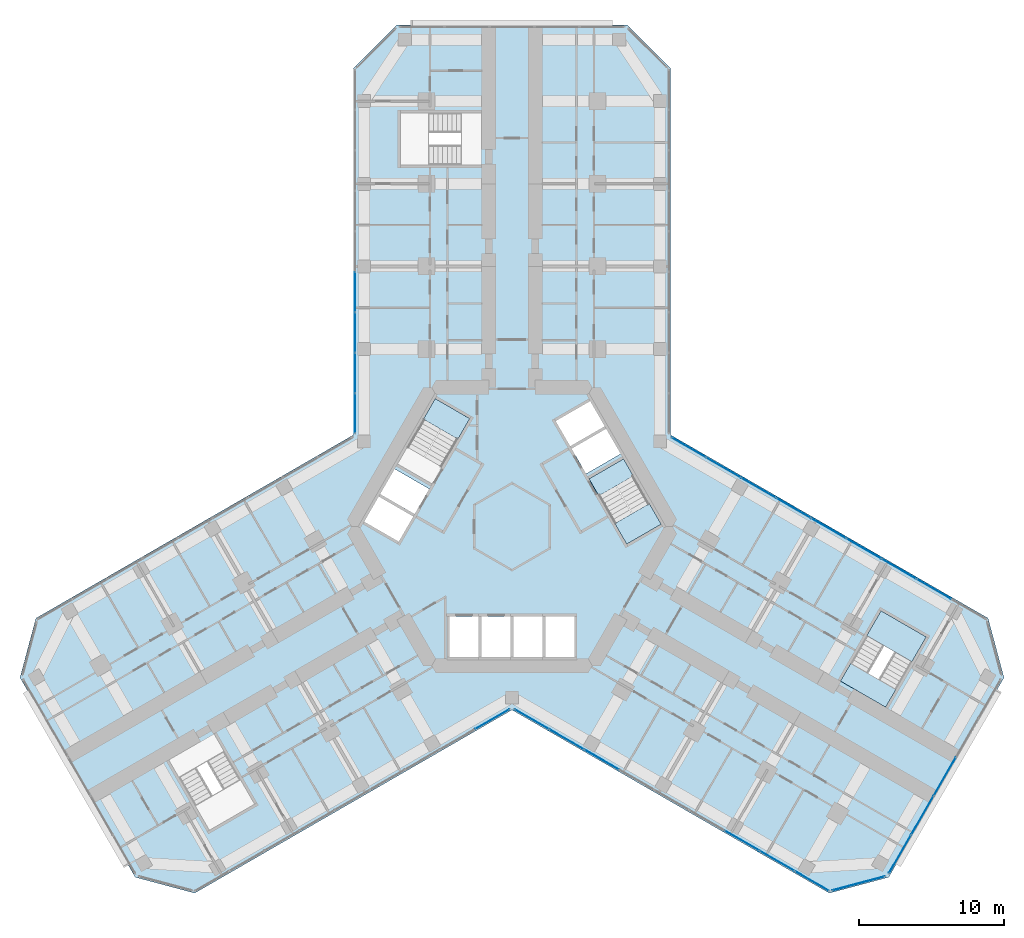
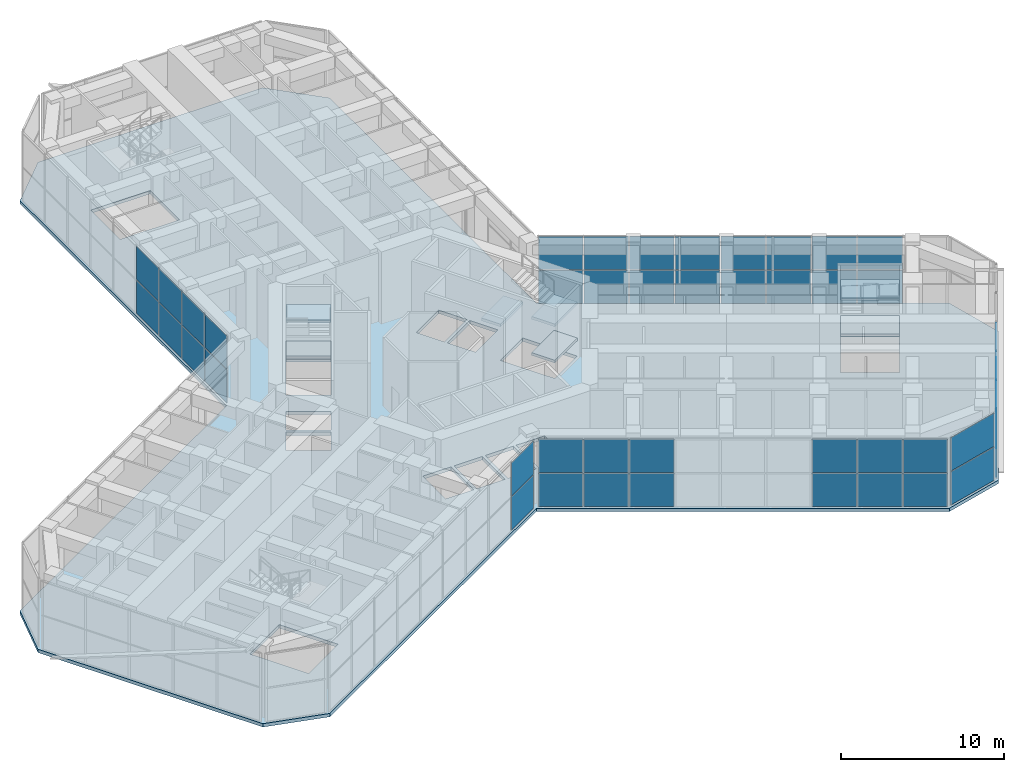
# One storey, part 12 of 23: 46 plates, 9 slabs, 9 elements without a shape of their own.
"""IFC4 building model written with IfcOpenShell, lengths in metres."""

from ifc_helpers import new_model, si_unit, direction, frame, origin, origin_2d, place, context, subcontext, project, spatial, polyline, rectangle, outline, extrude, material, layer, layer_set, type_object, element, aggregate, save


model = new_model("IFC4")

# Units and contexts
model_context = context("Model", 3, precision=1e-05, world=origin(), true_north=direction((0.0, 1.0)))
body_context = subcontext(model_context, "Body", "Model", "MODEL_VIEW")
ifc_project = project(units=[si_unit("LENGTHUNIT", "METRE"), si_unit("AREAUNIT", "SQUARE_METRE"), si_unit("VOLUMEUNIT", "CUBIC_METRE"), si_unit("PLANEANGLEUNIT", "RADIAN"), si_unit("MASSUNIT", "GRAM", prefix="KILO")], contexts=[model_context])

# Site, building, storey
site_placement = place(None, origin())
site = spatial("IfcSite", under=ifc_project, at=site_placement, CompositionType="ELEMENT")
building_placement = place(site_placement, origin())
building = spatial("IfcBuilding", under=site, at=building_placement, Name="Kosmar Iwan School Tower", CompositionType="ELEMENT")
storey_placement = place(building_placement, frame((0.0, 0.0, 75.39990234375)))
storey = spatial("IfcBuildingStorey", under=building, at=storey_placement, Name="L18", CompositionType="ELEMENT", Elevation=75.39990234375)

# Curtain wall, plates
ifc_material_1 = material(Name="Dark glass in black aluminium frame", Category="aluminium")
curtain_wall_type_1 = type_object("IfcCurtainWallType", Name="Winter garden curtain wall", PredefinedType="USERDEFINED", material=ifc_material_1)
curtain_wall_1_placement = place(storey_placement, origin())
curtain_wall_1 = element("IfcCurtainWall", 1, at=curtain_wall_1_placement, inside=storey, type_object=curtain_wall_type_1, Name="Curtain wall L18-F00", ObjectType="WINTER GARDEN CURTAIN WALL", PredefinedType="USERDEFINED")
ifc_material_2 = material(Name="Dark glass", Category="glass")
ifc_layer_1 = layer(ifc_material_2, 0.028076171875)
ifc_layer_set_1 = layer_set([ifc_layer_1], Name="Dark glass panel 28")
plate_type = type_object("IfcPlateType", Name="Dark glass panel 28", PredefinedType="CURTAIN_PANEL", material=ifc_layer_set_1)
plate_1_placement = place(storey_placement, frame((-1.3603515625, -13.284912109375, 0.06005859375), z_axis=(0.0, 0.0, 1.0), x_axis=(-0.866025395189, -0.500000014888, 0.0)))
plate_1 = element("IfcPlate", 2, at=plate_1_placement, type_object=plate_type, Name="CW7 panel 1.1", PredefinedType="CURTAIN_PANEL", context=body_context, shape_type="SweptSolid", body=[
    extrude(rectangle(XDim=2.703369140625, YDim=0.028076171875, at=origin_2d()), origin(), (0.0, 0.0, 1.0), 2.485107421875),
])
plate_2_placement = place(storey_placement, frame((-1.3603515625, -13.284912109375, 2.60498046875), z_axis=(0.0, 0.0, 1.0), x_axis=(-0.866025395189, -0.500000014888, 0.0)))
plate_2 = element("IfcPlate", 3, at=plate_2_placement, type_object=plate_type, Name="CW7 panel 1.2", PredefinedType="CURTAIN_PANEL", context=body_context, shape_type="SweptSolid", body=[
    extrude(rectangle(XDim=2.703369140625, YDim=0.028076171875, at=origin_2d()), origin(), (0.0, 0.0, 1.0), 2.485107421875),
])
aggregate(curtain_wall_1, [plate_1, plate_2])

curtain_wall_2_placement = place(storey_placement, origin())
curtain_wall_2 = element("IfcCurtainWall", 4, at=curtain_wall_2_placement, inside=storey, type_object=curtain_wall_type_1, Name="Curtain wall L18-F01", ObjectType="WINTER GARDEN CURTAIN WALL", PredefinedType="USERDEFINED")
plate_3_placement = place(storey_placement, frame((1.3603515625, -13.284912109375, 0.06005859375), z_axis=(0.0, 0.0, 1.0), x_axis=(0.866025395189, -0.500000014888, 0.0)))
plate_3 = element("IfcPlate", 5, at=plate_3_placement, type_object=plate_type, Name="CW7 panel 1.1", PredefinedType="CURTAIN_PANEL", context=body_context, shape_type="SweptSolid", body=[
    extrude(rectangle(XDim=2.703369140625, YDim=0.028076171875, at=origin_2d()), origin(), (0.0, 0.0, 1.0), 2.485107421875),
])
plate_4_placement = place(storey_placement, frame((1.3603515625, -13.284912109375, 2.60498046875), z_axis=(0.0, 0.0, 1.0), x_axis=(0.866025395189, -0.500000014888, 0.0)))
plate_4 = element("IfcPlate", 6, at=plate_4_placement, type_object=plate_type, Name="CW7 panel 1.2", PredefinedType="CURTAIN_PANEL", context=body_context, shape_type="SweptSolid", body=[
    extrude(rectangle(XDim=2.703369140625, YDim=0.028076171875, at=origin_2d()), origin(), (0.0, 0.0, 1.0), 2.485107421875),
])
plate_5_placement = place(storey_placement, frame((3.766357421875, -14.674072265625, 0.06005859375), z_axis=(0.0, 0.0, 1.0), x_axis=(0.866025395189, -0.500000014888, 0.0)))
plate_5 = element("IfcPlate", 7, at=plate_5_placement, type_object=plate_type, Name="CW7 panel 2.1", PredefinedType="CURTAIN_PANEL", context=body_context, shape_type="SweptSolid", body=[
    extrude(rectangle(XDim=2.733154296875, YDim=0.028076171875, at=origin_2d()), origin(), (0.0, 0.0, 1.0), 2.485107421875),
])
plate_6_placement = place(storey_placement, frame((3.766357421875, -14.674072265625, 2.60498046875), z_axis=(0.0, 0.0, 1.0), x_axis=(0.866025395189, -0.500000014888, 0.0)))
plate_6 = element("IfcPlate", 8, at=plate_6_placement, type_object=plate_type, Name="CW7 panel 2.2", PredefinedType="CURTAIN_PANEL", context=body_context, shape_type="SweptSolid", body=[
    extrude(rectangle(XDim=2.733154296875, YDim=0.028076171875, at=origin_2d()), origin(), (0.0, 0.0, 1.0), 2.485107421875),
])
plate_7_placement = place(storey_placement, frame((6.185302734375, -16.07080078125, 0.06005859375), z_axis=(0.0, 0.0, 1.0), x_axis=(0.866025395189, -0.500000014888, 0.0)))
plate_7 = element("IfcPlate", 9, at=plate_7_placement, type_object=plate_type, Name="CW7 panel 3.1", PredefinedType="CURTAIN_PANEL", context=body_context, shape_type="SweptSolid", body=[
    extrude(rectangle(XDim=2.733154296875, YDim=0.028076171875, at=origin_2d()), origin(), (0.0, 0.0, 1.0), 2.485107421875),
])
plate_8_placement = place(storey_placement, frame((6.185302734375, -16.07080078125, 2.60498046875), z_axis=(0.0, 0.0, 1.0), x_axis=(0.866025395189, -0.500000014888, 0.0)))
plate_8 = element("IfcPlate", 10, at=plate_8_placement, type_object=plate_type, Name="CW7 panel 3.2", PredefinedType="CURTAIN_PANEL", context=body_context, shape_type="SweptSolid", body=[
    extrude(rectangle(XDim=2.733154296875, YDim=0.028076171875, at=origin_2d()), origin(), (0.0, 0.0, 1.0), 2.485107421875),
])
plate_9_placement = place(storey_placement, frame((15.861572265625, -21.6572265625, 0.06005859375), z_axis=(0.0, 0.0, 1.0), x_axis=(0.866025395189, -0.500000014888, 0.0)))
plate_9 = element("IfcPlate", 11, at=plate_9_placement, type_object=plate_type, Name="CW7 panel 7.1", PredefinedType="CURTAIN_PANEL", context=body_context, shape_type="SweptSolid", body=[
    extrude(rectangle(XDim=2.733154296875, YDim=0.028076171875, at=origin_2d()), origin(), (0.0, 0.0, 1.0), 2.485107421875),
])
plate_10_placement = place(storey_placement, frame((15.861572265625, -21.6572265625, 2.60498046875), z_axis=(0.0, 0.0, 1.0), x_axis=(0.866025395189, -0.500000014888, 0.0)))
plate_10 = element("IfcPlate", 12, at=plate_10_placement, type_object=plate_type, Name="CW7 panel 7.2", PredefinedType="CURTAIN_PANEL", context=body_context, shape_type="SweptSolid", body=[
    extrude(rectangle(XDim=2.733154296875, YDim=0.028076171875, at=origin_2d()), origin(), (0.0, 0.0, 1.0), 2.485107421875),
])
plate_11_placement = place(storey_placement, frame((18.280517578125, -23.053955078125, 0.06005859375), z_axis=(0.0, 0.0, 1.0), x_axis=(0.866025395189, -0.500000014888, 0.0)))
plate_11 = element("IfcPlate", 13, at=plate_11_placement, type_object=plate_type, Name="CW7 panel 8.1", PredefinedType="CURTAIN_PANEL", context=body_context, shape_type="SweptSolid", body=[
    extrude(rectangle(XDim=2.733154296875, YDim=0.028076171875, at=origin_2d()), origin(), (0.0, 0.0, 1.0), 2.485107421875),
])
plate_12_placement = place(storey_placement, frame((18.280517578125, -23.053955078125, 2.60498046875), z_axis=(0.0, 0.0, 1.0), x_axis=(0.866025395189, -0.500000014888, 0.0)))
plate_12 = element("IfcPlate", 14, at=plate_12_placement, type_object=plate_type, Name="CW7 panel 8.2", PredefinedType="CURTAIN_PANEL", context=body_context, shape_type="SweptSolid", body=[
    extrude(rectangle(XDim=2.733154296875, YDim=0.028076171875, at=origin_2d()), origin(), (0.0, 0.0, 1.0), 2.485107421875),
])
plate_13_placement = place(storey_placement, frame((20.6865234375, -24.443115234375, 0.06005859375), z_axis=(0.0, 0.0, 1.0), x_axis=(0.866025395189, -0.500000014888, 0.0)))
plate_13 = element("IfcPlate", 15, at=plate_13_placement, type_object=plate_type, Name="CW7 panel 9.1", PredefinedType="CURTAIN_PANEL", context=body_context, shape_type="SweptSolid", body=[
    extrude(rectangle(XDim=2.703369140625, YDim=0.028076171875, at=origin_2d()), origin(), (0.0, 0.0, 1.0), 2.485107421875),
])
plate_14_placement = place(storey_placement, frame((20.6865234375, -24.443115234375, 2.60498046875), z_axis=(0.0, 0.0, 1.0), x_axis=(0.866025395189, -0.500000014888, 0.0)))
plate_14 = element("IfcPlate", 16, at=plate_14_placement, type_object=plate_type, Name="CW7 panel 9.2", PredefinedType="CURTAIN_PANEL", context=body_context, shape_type="SweptSolid", body=[
    extrude(rectangle(XDim=2.703369140625, YDim=0.028076171875, at=origin_2d()), origin(), (0.0, 0.0, 1.0), 2.485107421875),
])
aggregate(curtain_wall_2, [plate_3, plate_4, plate_5, plate_6, plate_7, plate_8, plate_9, plate_10, plate_11, plate_12, plate_13, plate_14])

ifc_material_3 = material(Name="Dark glass in black aluminium frame", Category="aluminium")
curtain_wall_type_2 = type_object("IfcCurtainWallType", Name="Chamfer curtain wall dark glass", PredefinedType="USERDEFINED", material=ifc_material_3)
curtain_wall_3_placement = place(storey_placement, origin())
curtain_wall_3 = element("IfcCurtainWall", 17, at=curtain_wall_3_placement, inside=storey, type_object=curtain_wall_type_2, Name="Curtain wall L18-F02", ObjectType="FACETED CURTAIN WALL", PredefinedType="USERDEFINED")
plate_15_placement = place(storey_placement, frame((23.908203125, -24.61328125, 0.06005859375), z_axis=(0.0, 0.0, 1.0), x_axis=(0.965925875495, 0.258818861462, 0.0)))
plate_15 = element("IfcPlate", 18, at=plate_15_placement, type_object=plate_type, Name="CW2 panel 1.1", PredefinedType="CURTAIN_PANEL", context=body_context, shape_type="SweptSolid", body=[
    extrude(rectangle(XDim=3.718994140625, YDim=0.028076171875, at=origin_2d()), origin(), (0.0, 0.0, 1.0), 2.485107421875),
])
plate_16_placement = place(storey_placement, frame((23.908203125, -24.61328125, 2.60498046875), z_axis=(0.0, 0.0, 1.0), x_axis=(0.965925875495, 0.258818861462, 0.0)))
plate_16 = element("IfcPlate", 19, at=plate_16_placement, type_object=plate_type, Name="CW2 panel 1.2", PredefinedType="CURTAIN_PANEL", context=body_context, shape_type="SweptSolid", body=[
    extrude(rectangle(XDim=3.718994140625, YDim=0.028076171875, at=origin_2d()), origin(), (0.0, 0.0, 1.0), 2.485107421875),
])
aggregate(curtain_wall_3, [plate_15, plate_16])

ifc_material_4 = material(Name="Dark glass in black aluminium frame", Category="aluminium")
curtain_wall_type_3 = type_object("IfcCurtainWallType", Name="Tower curtain wall dark glass", PredefinedType="USERDEFINED", material=ifc_material_4)
curtain_wall_4_placement = place(storey_placement, origin())
curtain_wall_4 = element("IfcCurtainWall", 20, at=curtain_wall_4_placement, inside=storey, type_object=curtain_wall_type_3, Name="Curtain wall L18-F03", ObjectType="UNITISED CURTAIN WALL", PredefinedType="USERDEFINED")
plate_17_placement = place(storey_placement, frame((26.764404296875, -22.592529296875, 0.06005859375), z_axis=(0.0, 0.0, 1.0), x_axis=(0.499999997325, 0.866025405329, 0.0)))
plate_17 = element("IfcPlate", 21, at=plate_17_placement, type_object=plate_type, Name="CW1 panel 1.1", PredefinedType="CURTAIN_PANEL", context=body_context, shape_type="SweptSolid", body=[
    extrude(rectangle(XDim=3.00927734375, YDim=0.028076171875, at=origin_2d()), origin(), (0.0, 0.0, 1.0), 2.485107421875),
])
plate_18_placement = place(storey_placement, frame((26.764404296875, -22.592529296875, 2.60498046875), z_axis=(0.0, 0.0, 1.0), x_axis=(0.499999997325, 0.866025405329, 0.0)))
plate_18 = element("IfcPlate", 22, at=plate_18_placement, type_object=plate_type, Name="CW1 panel 1.2", PredefinedType="CURTAIN_PANEL", context=body_context, shape_type="SweptSolid", body=[
    extrude(rectangle(XDim=3.00927734375, YDim=0.028076171875, at=origin_2d()), origin(), (0.0, 0.0, 1.0), 2.485107421875),
])
plate_19_placement = place(storey_placement, frame((28.306640625, -19.921630859375, 0.06005859375), z_axis=(0.0, 0.0, 1.0), x_axis=(0.499999997325, 0.866025405329, 0.0)))
plate_19 = element("IfcPlate", 23, at=plate_19_placement, type_object=plate_type, Name="CW1 panel 2.1", PredefinedType="CURTAIN_PANEL", context=body_context, shape_type="SweptSolid", body=[
    extrude(rectangle(XDim=3.039306640625, YDim=0.028076171875, at=origin_2d()), origin(), (0.0, 0.0, 1.0), 2.485107421875),
])
plate_20_placement = place(storey_placement, frame((28.306640625, -19.921630859375, 2.60498046875), z_axis=(0.0, 0.0, 1.0), x_axis=(0.499999997325, 0.866025405329, 0.0)))
plate_20 = element("IfcPlate", 24, at=plate_20_placement, type_object=plate_type, Name="CW1 panel 2.2", PredefinedType="CURTAIN_PANEL", context=body_context, shape_type="SweptSolid", body=[
    extrude(rectangle(XDim=3.039306640625, YDim=0.028076171875, at=origin_2d()), origin(), (0.0, 0.0, 1.0), 2.485107421875),
])
plate_21_placement = place(storey_placement, frame((29.856201171875, -17.237548828125, 0.06005859375), z_axis=(0.0, 0.0, 1.0), x_axis=(0.499999997325, 0.866025405329, 0.0)))
plate_21 = element("IfcPlate", 25, at=plate_21_placement, type_object=plate_type, Name="CW1 panel 3.1", PredefinedType="CURTAIN_PANEL", context=body_context, shape_type="SweptSolid", body=[
    extrude(rectangle(XDim=3.039306640625, YDim=0.028076171875, at=origin_2d()), origin(), (0.0, 0.0, 1.0), 2.485107421875),
])
plate_22_placement = place(storey_placement, frame((29.856201171875, -17.237548828125, 2.60498046875), z_axis=(0.0, 0.0, 1.0), x_axis=(0.499999997325, 0.866025405329, 0.0)))
plate_22 = element("IfcPlate", 26, at=plate_22_placement, type_object=plate_type, Name="CW1 panel 3.2", PredefinedType="CURTAIN_PANEL", context=body_context, shape_type="SweptSolid", body=[
    extrude(rectangle(XDim=3.039306640625, YDim=0.028076171875, at=origin_2d()), origin(), (0.0, 0.0, 1.0), 2.485107421875),
])
aggregate(curtain_wall_4, [plate_17, plate_18, plate_19, plate_20, plate_21, plate_22])

curtain_wall_5_placement = place(storey_placement, origin())
curtain_wall_5 = element("IfcCurtainWall", 27, at=curtain_wall_5_placement, inside=storey, type_object=curtain_wall_type_1, Name="Curtain wall L18-F05", ObjectType="WINTER GARDEN CURTAIN WALL", PredefinedType="USERDEFINED")
plate_23_placement = place(storey_placement, frame((12.185302734375, 5.46435546875, 0.06005859375), z_axis=(0.0, 0.0, 1.0), x_axis=(0.866025395189, -0.500000014888, 0.0)))
plate_23 = element("IfcPlate", 28, at=plate_23_placement, type_object=plate_type, Name="CW7 panel 1.1", PredefinedType="CURTAIN_PANEL", context=body_context, shape_type="SweptSolid", body=[
    extrude(rectangle(XDim=2.703369140625, YDim=0.028076171875, at=origin_2d()), origin(), (0.0, 0.0, 1.0), 2.485107421875),
])
plate_24_placement = place(storey_placement, frame((12.185302734375, 5.46435546875, 2.60498046875), z_axis=(0.0, 0.0, 1.0), x_axis=(0.866025395189, -0.500000014888, 0.0)))
plate_24 = element("IfcPlate", 29, at=plate_24_placement, type_object=plate_type, Name="CW7 panel 1.2", PredefinedType="CURTAIN_PANEL", context=body_context, shape_type="SweptSolid", body=[
    extrude(rectangle(XDim=2.703369140625, YDim=0.028076171875, at=origin_2d()), origin(), (0.0, 0.0, 1.0), 2.485107421875),
])
plate_25_placement = place(storey_placement, frame((14.59130859375, 4.0751953125, 0.06005859375), z_axis=(0.0, 0.0, 1.0), x_axis=(0.866025395189, -0.500000014888, 0.0)))
plate_25 = element("IfcPlate", 30, at=plate_25_placement, type_object=plate_type, Name="CW7 panel 2.1", PredefinedType="CURTAIN_PANEL", context=body_context, shape_type="SweptSolid", body=[
    extrude(rectangle(XDim=2.733154296875, YDim=0.028076171875, at=origin_2d()), origin(), (0.0, 0.0, 1.0), 2.485107421875),
])
plate_26_placement = place(storey_placement, frame((14.59130859375, 4.0751953125, 2.60498046875), z_axis=(0.0, 0.0, 1.0), x_axis=(0.866025395189, -0.500000014888, 0.0)))
plate_26 = element("IfcPlate", 31, at=plate_26_placement, type_object=plate_type, Name="CW7 panel 2.2", PredefinedType="CURTAIN_PANEL", context=body_context, shape_type="SweptSolid", body=[
    extrude(rectangle(XDim=2.733154296875, YDim=0.028076171875, at=origin_2d()), origin(), (0.0, 0.0, 1.0), 2.485107421875),
])
plate_27_placement = place(storey_placement, frame((17.010498046875, 2.6787109375, 0.06005859375), z_axis=(0.0, 0.0, 1.0), x_axis=(0.866025395189, -0.500000014888, 0.0)))
plate_27 = element("IfcPlate", 32, at=plate_27_placement, type_object=plate_type, Name="CW7 panel 3.1", PredefinedType="CURTAIN_PANEL", context=body_context, shape_type="SweptSolid", body=[
    extrude(rectangle(XDim=2.733154296875, YDim=0.028076171875, at=origin_2d()), origin(), (0.0, 0.0, 1.0), 2.485107421875),
])
plate_28_placement = place(storey_placement, frame((17.010498046875, 2.6787109375, 2.60498046875), z_axis=(0.0, 0.0, 1.0), x_axis=(0.866025395189, -0.500000014888, 0.0)))
plate_28 = element("IfcPlate", 33, at=plate_28_placement, type_object=plate_type, Name="CW7 panel 3.2", PredefinedType="CURTAIN_PANEL", context=body_context, shape_type="SweptSolid", body=[
    extrude(rectangle(XDim=2.733154296875, YDim=0.028076171875, at=origin_2d()), origin(), (0.0, 0.0, 1.0), 2.485107421875),
])
plate_29_placement = place(storey_placement, frame((19.429443359375, 1.281982421875, 0.06005859375), z_axis=(0.0, 0.0, 1.0), x_axis=(0.866025395189, -0.500000014888, 0.0)))
plate_29 = element("IfcPlate", 34, at=plate_29_placement, type_object=plate_type, Name="CW7 panel 4.1", PredefinedType="CURTAIN_PANEL", context=body_context, shape_type="SweptSolid", body=[
    extrude(rectangle(XDim=2.733154296875, YDim=0.028076171875, at=origin_2d()), origin(), (0.0, 0.0, 1.0), 2.485107421875),
])
plate_30_placement = place(storey_placement, frame((19.429443359375, 1.281982421875, 2.60498046875), z_axis=(0.0, 0.0, 1.0), x_axis=(0.866025395189, -0.500000014888, 0.0)))
plate_30 = element("IfcPlate", 35, at=plate_30_placement, type_object=plate_type, Name="CW7 panel 4.2", PredefinedType="CURTAIN_PANEL", context=body_context, shape_type="SweptSolid", body=[
    extrude(rectangle(XDim=2.733154296875, YDim=0.028076171875, at=origin_2d()), origin(), (0.0, 0.0, 1.0), 2.485107421875),
])
plate_31_placement = place(storey_placement, frame((21.848388671875, -0.114501953125, 0.06005859375), z_axis=(0.0, 0.0, 1.0), x_axis=(0.866025395189, -0.500000014888, 0.0)))
plate_31 = element("IfcPlate", 36, at=plate_31_placement, type_object=plate_type, Name="CW7 panel 5.1", PredefinedType="CURTAIN_PANEL", context=body_context, shape_type="SweptSolid", body=[
    extrude(rectangle(XDim=2.733154296875, YDim=0.028076171875, at=origin_2d()), origin(), (0.0, 0.0, 1.0), 2.485107421875),
])
plate_32_placement = place(storey_placement, frame((21.848388671875, -0.114501953125, 2.60498046875), z_axis=(0.0, 0.0, 1.0), x_axis=(0.866025395189, -0.500000014888, 0.0)))
plate_32 = element("IfcPlate", 37, at=plate_32_placement, type_object=plate_type, Name="CW7 panel 5.2", PredefinedType="CURTAIN_PANEL", context=body_context, shape_type="SweptSolid", body=[
    extrude(rectangle(XDim=2.733154296875, YDim=0.028076171875, at=origin_2d()), origin(), (0.0, 0.0, 1.0), 2.485107421875),
])
plate_33_placement = place(storey_placement, frame((24.267578125, -1.51123046875, 0.06005859375), z_axis=(0.0, 0.0, 1.0), x_axis=(0.866025395189, -0.500000014888, 0.0)))
plate_33 = element("IfcPlate", 38, at=plate_33_placement, type_object=plate_type, Name="CW7 panel 6.1", PredefinedType="CURTAIN_PANEL", context=body_context, shape_type="SweptSolid", body=[
    extrude(rectangle(XDim=2.733154296875, YDim=0.028076171875, at=origin_2d()), origin(), (0.0, 0.0, 1.0), 2.485107421875),
])
plate_34_placement = place(storey_placement, frame((24.267578125, -1.51123046875, 2.60498046875), z_axis=(0.0, 0.0, 1.0), x_axis=(0.866025395189, -0.500000014888, 0.0)))
plate_34 = element("IfcPlate", 39, at=plate_34_placement, type_object=plate_type, Name="CW7 panel 6.2", PredefinedType="CURTAIN_PANEL", context=body_context, shape_type="SweptSolid", body=[
    extrude(rectangle(XDim=2.733154296875, YDim=0.028076171875, at=origin_2d()), origin(), (0.0, 0.0, 1.0), 2.485107421875),
])
plate_35_placement = place(storey_placement, frame((26.6865234375, -2.90771484375, 0.06005859375), z_axis=(0.0, 0.0, 1.0), x_axis=(0.866025395189, -0.500000014888, 0.0)))
plate_35 = element("IfcPlate", 40, at=plate_35_placement, type_object=plate_type, Name="CW7 panel 7.1", PredefinedType="CURTAIN_PANEL", context=body_context, shape_type="SweptSolid", body=[
    extrude(rectangle(XDim=2.733154296875, YDim=0.028076171875, at=origin_2d()), origin(), (0.0, 0.0, 1.0), 2.485107421875),
])
plate_36_placement = place(storey_placement, frame((26.6865234375, -2.90771484375, 2.60498046875), z_axis=(0.0, 0.0, 1.0), x_axis=(0.866025395189, -0.500000014888, 0.0)))
plate_36 = element("IfcPlate", 41, at=plate_36_placement, type_object=plate_type, Name="CW7 panel 7.2", PredefinedType="CURTAIN_PANEL", context=body_context, shape_type="SweptSolid", body=[
    extrude(rectangle(XDim=2.733154296875, YDim=0.028076171875, at=origin_2d()), origin(), (0.0, 0.0, 1.0), 2.485107421875),
])
plate_37_placement = place(storey_placement, frame((29.10546875, -4.304443359375, 0.06005859375), z_axis=(0.0, 0.0, 1.0), x_axis=(0.866025395189, -0.500000014888, 0.0)))
plate_37 = element("IfcPlate", 42, at=plate_37_placement, type_object=plate_type, Name="CW7 panel 8.1", PredefinedType="CURTAIN_PANEL", context=body_context, shape_type="SweptSolid", body=[
    extrude(rectangle(XDim=2.733154296875, YDim=0.028076171875, at=origin_2d()), origin(), (0.0, 0.0, 1.0), 2.485107421875),
])
plate_38_placement = place(storey_placement, frame((29.10546875, -4.304443359375, 2.60498046875), z_axis=(0.0, 0.0, 1.0), x_axis=(0.866025395189, -0.500000014888, 0.0)))
plate_38 = element("IfcPlate", 43, at=plate_38_placement, type_object=plate_type, Name="CW7 panel 8.2", PredefinedType="CURTAIN_PANEL", context=body_context, shape_type="SweptSolid", body=[
    extrude(rectangle(XDim=2.733154296875, YDim=0.028076171875, at=origin_2d()), origin(), (0.0, 0.0, 1.0), 2.485107421875),
])
aggregate(curtain_wall_5, [plate_23, plate_24, plate_25, plate_26, plate_27, plate_28, plate_29, plate_30, plate_31, plate_32, plate_33, plate_34, plate_35, plate_36, plate_37, plate_38])

curtain_wall_6_placement = place(storey_placement, origin())
curtain_wall_6 = element("IfcCurtainWall", 44, at=curtain_wall_6_placement, inside=storey, type_object=curtain_wall_type_1, Name="Curtain wall L18-F10", ObjectType="WINTER GARDEN CURTAIN WALL", PredefinedType="USERDEFINED")
plate_39_placement = place(storey_placement, frame((-10.824951171875, 7.820556640625, 0.06005859375), z_axis=(0.0, 0.0, 1.0), x_axis=(0.0, 1.0, 0.0)))
plate_39 = element("IfcPlate", 45, at=plate_39_placement, type_object=plate_type, Name="CW7 panel 1.1", PredefinedType="CURTAIN_PANEL", context=body_context, shape_type="SweptSolid", body=[
    extrude(rectangle(XDim=2.703369140625, YDim=0.028076171875, at=origin_2d()), origin(), (0.0, 0.0, 1.0), 2.485107421875),
])
plate_40_placement = place(storey_placement, frame((-10.824951171875, 7.820556640625, 2.60498046875), z_axis=(0.0, 0.0, 1.0), x_axis=(0.0, 1.0, 0.0)))
plate_40 = element("IfcPlate", 46, at=plate_40_placement, type_object=plate_type, Name="CW7 panel 1.2", PredefinedType="CURTAIN_PANEL", context=body_context, shape_type="SweptSolid", body=[
    extrude(rectangle(XDim=2.703369140625, YDim=0.028076171875, at=origin_2d()), origin(), (0.0, 0.0, 1.0), 2.485107421875),
])
plate_41_placement = place(storey_placement, frame((-10.824951171875, 10.598876953125, 0.06005859375), z_axis=(0.0, 0.0, 1.0), x_axis=(0.0, 1.0, 0.0)))
plate_41 = element("IfcPlate", 47, at=plate_41_placement, type_object=plate_type, Name="CW7 panel 2.1", PredefinedType="CURTAIN_PANEL", context=body_context, shape_type="SweptSolid", body=[
    extrude(rectangle(XDim=2.733154296875, YDim=0.028076171875, at=origin_2d()), origin(), (0.0, 0.0, 1.0), 2.485107421875),
])
plate_42_placement = place(storey_placement, frame((-10.824951171875, 10.598876953125, 2.60498046875), z_axis=(0.0, 0.0, 1.0), x_axis=(0.0, 1.0, 0.0)))
plate_42 = element("IfcPlate", 48, at=plate_42_placement, type_object=plate_type, Name="CW7 panel 2.2", PredefinedType="CURTAIN_PANEL", context=body_context, shape_type="SweptSolid", body=[
    extrude(rectangle(XDim=2.733154296875, YDim=0.028076171875, at=origin_2d()), origin(), (0.0, 0.0, 1.0), 2.485107421875),
])
plate_43_placement = place(storey_placement, frame((-10.824951171875, 13.39208984375, 0.06005859375), z_axis=(0.0, 0.0, 1.0), x_axis=(0.0, 1.0, 0.0)))
plate_43 = element("IfcPlate", 49, at=plate_43_placement, type_object=plate_type, Name="CW7 panel 3.1", PredefinedType="CURTAIN_PANEL", context=body_context, shape_type="SweptSolid", body=[
    extrude(rectangle(XDim=2.733154296875, YDim=0.028076171875, at=origin_2d()), origin(), (0.0, 0.0, 1.0), 2.485107421875),
])
plate_44_placement = place(storey_placement, frame((-10.824951171875, 13.39208984375, 2.60498046875), z_axis=(0.0, 0.0, 1.0), x_axis=(0.0, 1.0, 0.0)))
plate_44 = element("IfcPlate", 50, at=plate_44_placement, type_object=plate_type, Name="CW7 panel 3.2", PredefinedType="CURTAIN_PANEL", context=body_context, shape_type="SweptSolid", body=[
    extrude(rectangle(XDim=2.733154296875, YDim=0.028076171875, at=origin_2d()), origin(), (0.0, 0.0, 1.0), 2.485107421875),
])
plate_45_placement = place(storey_placement, frame((-10.824951171875, 16.185302734375, 0.06005859375), z_axis=(0.0, 0.0, 1.0), x_axis=(0.0, 1.0, 0.0)))
plate_45 = element("IfcPlate", 51, at=plate_45_placement, type_object=plate_type, Name="CW7 panel 4.1", PredefinedType="CURTAIN_PANEL", context=body_context, shape_type="SweptSolid", body=[
    extrude(rectangle(XDim=2.733154296875, YDim=0.028076171875, at=origin_2d()), origin(), (0.0, 0.0, 1.0), 2.485107421875),
])
plate_46_placement = place(storey_placement, frame((-10.824951171875, 16.185302734375, 2.60498046875), z_axis=(0.0, 0.0, 1.0), x_axis=(0.0, 1.0, 0.0)))
plate_46 = element("IfcPlate", 52, at=plate_46_placement, type_object=plate_type, Name="CW7 panel 4.2", PredefinedType="CURTAIN_PANEL", context=body_context, shape_type="SweptSolid", body=[
    extrude(rectangle(XDim=2.733154296875, YDim=0.028076171875, at=origin_2d()), origin(), (0.0, 0.0, 1.0), 2.485107421875),
])
aggregate(curtain_wall_6, [plate_39, plate_40, plate_41, plate_42, plate_43, plate_44, plate_45, plate_46])

# Stair, slabs
ifc_material_5 = material(Name="Concrete C35/45", Category="concrete")
stair_type_1 = type_object("IfcStairType", Name="Escape stair 3600", PredefinedType="HALF_TURN_STAIR", material=ifc_material_5)
stair_1_placement = place(storey_placement, origin())
stair_1 = element("IfcStair", 53, at=stair_1_placement, inside=storey, type_object=stair_type_1, Name="Stair WS3 L18", PredefinedType="HALF_TURN_STAIR")
ifc_material_6 = material(Name="Concrete C35/45", Category="concrete")
ifc_layer_2 = layer(ifc_material_6, 0.199951171875)
ifc_layer_set_2 = layer_set([ifc_layer_2], Name="Escape stair landing 200")
slab_type_1 = type_object("IfcSlabType", Name="Escape stair landing 200", PredefinedType="LANDING", material=ifc_layer_set_2)
slab_1_placement = place(storey_placement, frame((0.0, 0.0, 1.150146484375)))
slab_1 = element("IfcSlab", 54, at=slab_1_placement, type_object=slab_type_1, Name="WS3 landing 1", PredefinedType="LANDING", context=body_context, shape_type="SweptSolid", body=[
    extrude(outline(polyline([(24.46728515625, -7.521240234375), (27.5849609375, -9.3212890625), (28.574951171875, -7.606689453125), (25.457275390625, -5.806640625), (24.46728515625, -7.521240234375)])), origin(), (0.0, 0.0, 1.0), 0.199951171875),
])
slab_2_placement = place(storey_placement, frame((0.0, 0.0, 2.5)))
slab_2 = element("IfcSlab", 55, at=slab_2_placement, type_object=slab_type_1, Name="WS3 landing 2", PredefinedType="LANDING", context=body_context, shape_type="SweptSolid", body=[
    extrude(outline(polyline([(22.6572265625, -10.65625), (25.775146484375, -12.456298828125), (26.485107421875, -11.2265625), (23.367431640625, -9.426513671875), (22.6572265625, -10.65625)])), origin(), (0.0, 0.0, 1.0), 0.2001953125),
])
slab_3_placement = place(storey_placement, frame((0.0, 0.0, 3.85009765625)))
slab_3 = element("IfcSlab", 56, at=slab_3_placement, type_object=slab_type_1, Name="WS3 landing 3", PredefinedType="LANDING", context=body_context, shape_type="SweptSolid", body=[
    extrude(outline(polyline([(24.46728515625, -7.521240234375), (27.5849609375, -9.3212890625), (28.574951171875, -7.606689453125), (25.457275390625, -5.806640625), (24.46728515625, -7.521240234375)])), origin(), (0.0, 0.0, 1.0), 0.199951171875),
])
aggregate(stair_1, [slab_1, slab_2, slab_3])

# Slab
ifc_material_7 = material(Name="Concrete C35/45", Category="concrete")
ifc_layer_3 = layer(ifc_material_7, 0.25)
ifc_layer_set_3 = layer_set([ifc_layer_3], Name="Floor slab 250")
slab_type_2 = type_object("IfcSlabType", Name="Floor slab 250", PredefinedType="FLOOR", material=ifc_layer_set_3)
slab_4_placement = place(storey_placement, frame((0.0, 0.0, -0.25)))
element("IfcSlab", 57, at=slab_4_placement, inside=storey, type_object=slab_type_2, Name="L18 floor slab", PredefinedType="FLOOR", context=body_context, shape_type="SweptSolid", body=[
    extrude(outline(polyline([(-21.891357421875, -25.282958984375), (0.0, -12.64404296875), (21.891357421875, -25.282958984375), (25.989501953125, -24.184814453125), (33.939453125, -10.4150390625), (32.84130859375, -6.317138671875), (10.949951171875, 6.322021484375), (10.949951171875, 31.60009765625), (7.949951171875, 34.60009765625), (-7.949951171875, 34.60009765625), (-10.949951171875, 31.60009765625), (-10.949951171875, 6.322021484375), (-32.84130859375, -6.317138671875), (-33.939453125, -10.4150390625), (-25.989501953125, -24.184814453125), (-21.891357421875, -25.282958984375)]), holes=[polyline([(7.91259765625, -1.205078125), (10.294189453125, 0.169921875), (8.3642578125, 3.5126953125), (5.982666015625, 2.1376953125), (7.91259765625, -1.205078125)]), polyline([(-2.91259765625, 7.455078125), (-5.294189453125, 8.830078125), (-7.22412109375, 5.4873046875), (-4.8427734375, 4.1123046875), (-2.91259765625, 7.455078125)]), polyline([(-5.712646484375, 2.60546875), (-8.09423828125, 3.98046875), (-9.09423828125, 2.248291015625), (-6.712646484375, 0.873291015625), (-5.712646484375, 2.60546875)]), polyline([(-6.812744140625, 0.7001953125), (-9.1943359375, 2.0751953125), (-10.1943359375, 0.343017578125), (-7.812744140625, -1.031982421875), (-6.812744140625, 0.7001953125)]), polyline([(5.112548828125, 3.64453125), (7.494140625, 5.01953125), (6.494140625, 6.751708984375), (4.112548828125, 5.376708984375), (5.112548828125, 3.64453125)]), polyline([(4.0126953125, 5.5498046875), (6.394287109375, 6.9248046875), (5.394287109375, 8.656982421875), (3.0126953125, 7.281982421875), (4.0126953125, 5.5498046875)]), polyline([(-4.300048828125, -6.199951171875), (-4.300048828125, -9.0), (-2.300048828125, -9.0), (-2.300048828125, -6.199951171875), (-4.300048828125, -6.199951171875)]), polyline([(-2.10009765625, -6.199951171875), (-2.10009765625, -9.0), (-0.10009765625, -9.0), (-0.10009765625, -6.199951171875), (-2.10009765625, -6.199951171875)]), polyline([(0.10009765625, -6.199951171875), (0.10009765625, -9.0), (2.10009765625, -9.0), (2.10009765625, -6.199951171875), (0.10009765625, -6.199951171875)]), polyline([(2.300048828125, -6.199951171875), (2.300048828125, -9.0), (4.300048828125, -9.0), (4.300048828125, -6.199951171875), (2.300048828125, -6.199951171875)]), polyline([(-3.52001953125, 24.949951171875), (-3.52001953125, 28.550048828125), (-7.699951171875, 28.550048828125), (-7.699951171875, 24.949951171875), (-3.52001953125, 24.949951171875)]), polyline([(-19.847412109375, -15.5234375), (-22.965087890625, -17.323486328125), (-20.875, -20.943359375), (-17.75732421875, -19.143310546875), (-19.847412109375, -15.5234375)]), polyline([(23.367431640625, -9.426513671875), (26.485107421875, -11.2265625), (28.574951171875, -7.606689453125), (25.457275390625, -5.806640625), (23.367431640625, -9.426513671875)])]), origin(), (0.0, 0.0, 1.0), 0.25),
])

# Stair, slabs
ifc_material_8 = material(Name="Concrete C35/45", Category="concrete")
stair_type_2 = type_object("IfcStairType", Name="Core stair 2750", PredefinedType="HALF_TURN_STAIR", material=ifc_material_8)
stair_2_placement = place(storey_placement, origin())
stair_2 = element("IfcStair", 58, at=stair_2_placement, inside=storey, type_object=stair_type_2, Name="Stair ST2 L18", PredefinedType="HALF_TURN_STAIR")
ifc_material_9 = material(Name="Concrete C35/45", Category="concrete")
ifc_layer_4 = layer(ifc_material_9, 0.199951171875)
ifc_layer_set_4 = layer_set([ifc_layer_4], Name="Stair landing 200")
slab_type_3 = type_object("IfcSlabType", Name="Stair landing 200", PredefinedType="LANDING", material=ifc_layer_set_4)
slab_5_placement = place(storey_placement, frame((0.0, 0.0, 1.150146484375)))
slab_5 = element("IfcSlab", 59, at=slab_5_placement, type_object=slab_type_3, Name="ST2 landing 1", PredefinedType="LANDING", context=body_context, shape_type="SweptSolid", body=[
    extrude(outline(polyline([(-2.91259765625, 7.455078125), (-5.294189453125, 8.830078125), (-6.1142578125, 7.409912109375), (-3.732666015625, 6.034912109375), (-2.91259765625, 7.455078125)])), origin(), (0.0, 0.0, 1.0), 0.199951171875),
])
slab_6_placement = place(storey_placement, frame((0.0, 0.0, 3.85009765625)))
slab_6 = element("IfcSlab", 60, at=slab_6_placement, type_object=slab_type_3, Name="ST2 landing 3", PredefinedType="LANDING", context=body_context, shape_type="SweptSolid", body=[
    extrude(outline(polyline([(-2.91259765625, 7.455078125), (-5.294189453125, 8.830078125), (-6.1142578125, 7.409912109375), (-3.732666015625, 6.034912109375), (-2.91259765625, 7.455078125)])), origin(), (0.0, 0.0, 1.0), 0.199951171875),
])
aggregate(stair_2, [slab_5, slab_6])

stair_3_placement = place(storey_placement, origin())
stair_3 = element("IfcStair", 61, at=stair_3_placement, inside=storey, type_object=stair_type_2, Name="Stair ST1 L18", PredefinedType="HALF_TURN_STAIR")
slab_7_placement = place(storey_placement, frame((0.0, 0.0, 1.150146484375)))
slab_7 = element("IfcSlab", 62, at=slab_7_placement, type_object=slab_type_3, Name="ST1 landing 1", PredefinedType="LANDING", context=body_context, shape_type="SweptSolid", body=[
    extrude(outline(polyline([(7.91259765625, -1.205078125), (10.294189453125, 0.169921875), (9.47412109375, 1.590087890625), (7.0927734375, 0.215087890625), (7.91259765625, -1.205078125)])), origin(), (0.0, 0.0, 1.0), 0.199951171875),
])
slab_8_placement = place(storey_placement, frame((0.0, 0.0, 2.5)))
slab_8 = element("IfcSlab", 63, at=slab_8_placement, type_object=slab_type_3, Name="ST1 landing 2", PredefinedType="LANDING", context=body_context, shape_type="SweptSolid", body=[
    extrude(outline(polyline([(5.99267578125, 2.120361328125), (8.374267578125, 3.495361328125), (7.6943359375, 4.673095703125), (5.312744140625, 3.298095703125), (5.99267578125, 2.120361328125)])), origin(), (0.0, 0.0, 1.0), 0.2001953125),
])
slab_9_placement = place(storey_placement, frame((0.0, 0.0, 3.85009765625)))
slab_9 = element("IfcSlab", 64, at=slab_9_placement, type_object=slab_type_3, Name="ST1 landing 3", PredefinedType="LANDING", context=body_context, shape_type="SweptSolid", body=[
    extrude(outline(polyline([(7.91259765625, -1.205078125), (10.294189453125, 0.169921875), (9.47412109375, 1.590087890625), (7.0927734375, 0.215087890625), (7.91259765625, -1.205078125)])), origin(), (0.0, 0.0, 1.0), 0.199951171875),
])
aggregate(stair_3, [slab_7, slab_8, slab_9])

save(model, "model.ifc")
